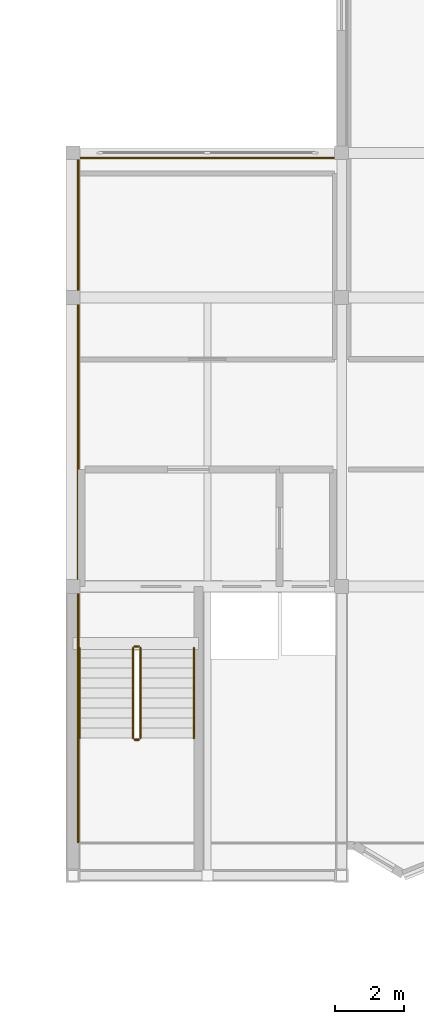
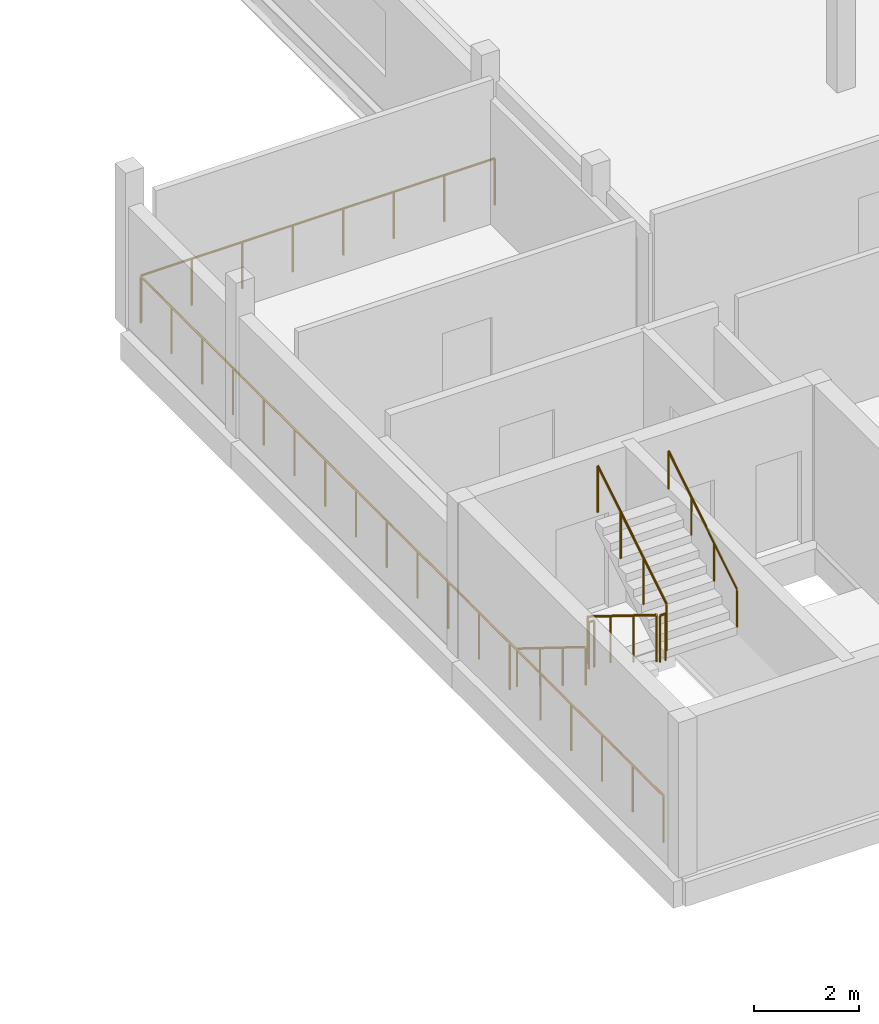
# One storey, part 12 of 15: 8 railings.
"""IFC4 building model written with IfcOpenShell, lengths in metres."""

from ifc_helpers import new_model, si_unit, direction, frame, origin, origin_2d, place, context, subcontext, project, spatial, circle, extrude, material, type_object, element, save


model = new_model("IFC4")

# Units and contexts
model_context = context("Model", 3, precision=1e-05, world=origin(), true_north=direction((0.0, 1.0)))
body_context = subcontext(model_context, "Body", "Model", "MODEL_VIEW")
ifc_project = project(units=[si_unit("LENGTHUNIT", "METRE"), si_unit("AREAUNIT", "SQUARE_METRE"), si_unit("VOLUMEUNIT", "CUBIC_METRE"), si_unit("PLANEANGLEUNIT", "RADIAN"), si_unit("MASSUNIT", "GRAM", prefix="KILO")], contexts=[model_context])

# Site, building, storey
site_placement = place(None, origin())
site = spatial("IfcSite", under=ifc_project, at=site_placement, CompositionType="ELEMENT")
building_placement = place(site_placement, origin())
building = spatial("IfcBuilding", under=site, at=building_placement, Name="Vharandega Faculty of Natural Sciences", CompositionType="ELEMENT")
storey_placement = place(building_placement, frame((0.0, 0.0, 32.39990234375)))
storey = spatial("IfcBuildingStorey", under=building, at=storey_placement, Name="L08", CompositionType="ELEMENT", Elevation=32.39990234375)

# Railings
ifc_material_1 = material(Name="Brushed stainless steel handrail", Category="steel")
railing_type_1 = type_object("IfcRailingType", Name="Stair Tubular Handrail 900", PredefinedType="HANDRAIL", material=ifc_material_1)
railing_1_placement = place(storey_placement, frame((114.989990234375, 70.610107421875, 0.18017578125)))
element("IfcRailing", 1, at=railing_1_placement, inside=storey, type_object=railing_type_1, Name="L08 ST1 stair handrail 1", PredefinedType="HANDRAIL", context=body_context, shape_type="SweptSolid", body=[
    extrude(circle(Radius=0.02392578125, at=origin_2d()), frame((0.0, 0.0, 0.8759765625), z_axis=(0.0, -0.849668407637, 0.527317358963), x_axis=(1.0, 0.0, 0.0)), (0.0, 0.0, 1.0), 3.072021484375),
    extrude(circle(Radius=0.02099609375, at=origin_2d()), origin(), (0.0, 0.0, 1.0), 0.851806640625),
    extrude(circle(Radius=0.02099609375, at=origin_2d()), frame((0.0, -0.8701171875, 0.5400390625)), (0.0, 0.0, 1.0), 0.851806640625),
    extrude(circle(Radius=0.02099609375, at=origin_2d()), frame((0.0, -1.739990234375, 1.079833984375)), (0.0, 0.0, 1.0), 0.851806640625),
    extrude(circle(Radius=0.02099609375, at=origin_2d()), frame((0.0, -2.610107421875, 1.619873046875)), (0.0, 0.0, 1.0), 0.851806640625),
])
railing_2_placement = place(storey_placement, frame((118.31005859375, 68.0, 1.97998046875)))
element("IfcRailing", 2, at=railing_2_placement, inside=storey, type_object=railing_type_1, Name="L08 ST1 stair handrail 2", PredefinedType="HANDRAIL", context=body_context, shape_type="SweptSolid", body=[
    extrude(circle(Radius=0.02392578125, at=origin_2d()), frame((0.0, 0.0, 0.8759765625), z_axis=(0.0, 0.849632798774, 0.527374731332), x_axis=(-1.0, 0.0, 0.0)), (0.0, 0.0, 1.0), 3.072021484375),
    extrude(circle(Radius=0.02099609375, at=origin_2d()), origin(), (0.0, 0.0, 1.0), 0.851806640625),
    extrude(circle(Radius=0.02099609375, at=origin_2d()), frame((0.0, 0.8701171875, 0.5400390625)), (0.0, 0.0, 1.0), 0.851806640625),
    extrude(circle(Radius=0.02099609375, at=origin_2d()), frame((0.0, 1.739990234375, 1.080078125)), (0.0, 0.0, 1.0), 0.851806640625),
    extrude(circle(Radius=0.02099609375, at=origin_2d()), frame((0.0, 2.610107421875, 1.6201171875)), (0.0, 0.0, 1.0), 0.851806640625),
])
ifc_material_2 = material(Name="Painted steel stair guardrail", Category="steel")
railing_type_2 = type_object("IfcRailingType", Name="Stairwell Steel Guardrail 1100", PredefinedType="GUARDRAIL", material=ifc_material_2)
railing_3_placement = place(storey_placement, frame((116.5400390625, 70.610107421875, 0.18017578125)))
element("IfcRailing", 3, at=railing_3_placement, inside=storey, type_object=railing_type_2, Name="L08 ST1 stair guard 1", PredefinedType="GUARDRAIL", context=body_context, shape_type="SweptSolid", body=[
    extrude(circle(Radius=0.02392578125, at=origin_2d()), frame((0.0, 0.0, 1.076171875), z_axis=(0.0, -0.849668407637, 0.527317358963), x_axis=(1.0, 0.0, 0.0)), (0.0, 0.0, 1.0), 3.072021484375),
    extrude(circle(Radius=0.02099609375, at=origin_2d()), origin(), (0.0, 0.0, 1.0), 1.052001953125),
    extrude(circle(Radius=0.02099609375, at=origin_2d()), frame((0.0, -0.8701171875, 0.5400390625)), (0.0, 0.0, 1.0), 1.052001953125),
    extrude(circle(Radius=0.02099609375, at=origin_2d()), frame((0.0, -1.739990234375, 1.079833984375)), (0.0, 0.0, 1.0), 1.052001953125),
    extrude(circle(Radius=0.02099609375, at=origin_2d()), frame((0.0, -2.610107421875, 1.619873046875)), (0.0, 0.0, 1.0), 1.052001953125),
])
railing_4_placement = place(storey_placement, frame((116.590087890625, 67.949951171875, 1.800048828125)))
element("IfcRailing", 4, at=railing_4_placement, inside=storey, type_object=railing_type_2, Name="L08 ST1 stair guard 2", PredefinedType="GUARDRAIL", context=body_context, shape_type="SweptSolid", body=[
    extrude(circle(Radius=0.02392578125, at=origin_2d()), frame((0.0, 0.0, 1.076171875), z_axis=(1.0, 0.0, 0.0), x_axis=(0.0, 1.0, 0.0)), (0.0, 0.0, 1.0), 0.119873046875),
    extrude(circle(Radius=0.02099609375, at=origin_2d()), origin(), (0.0, 0.0, 1.0), 1.052001953125),
    extrude(circle(Radius=0.02099609375, at=origin_2d()), frame((0.119873046875, 0.0, 0.0)), (0.0, 0.0, 1.0), 1.052001953125),
])
railing_5_placement = place(storey_placement, frame((116.760009765625, 68.0, 1.97998046875)))
element("IfcRailing", 5, at=railing_5_placement, inside=storey, type_object=railing_type_2, Name="L08 ST1 stair guard 3", PredefinedType="GUARDRAIL", context=body_context, shape_type="SweptSolid", body=[
    extrude(circle(Radius=0.02392578125, at=origin_2d()), frame((0.0, 0.0, 1.076171875), z_axis=(0.0, 0.849632798774, 0.527374731332), x_axis=(-1.0, 0.0, 0.0)), (0.0, 0.0, 1.0), 3.072021484375),
    extrude(circle(Radius=0.02099609375, at=origin_2d()), origin(), (0.0, 0.0, 1.0), 1.052001953125),
    extrude(circle(Radius=0.02099609375, at=origin_2d()), frame((0.0, 0.8701171875, 0.5400390625)), (0.0, 0.0, 1.0), 1.052001953125),
    extrude(circle(Radius=0.02099609375, at=origin_2d()), frame((0.0, 1.739990234375, 1.080078125)), (0.0, 0.0, 1.0), 1.052001953125),
    extrude(circle(Radius=0.02099609375, at=origin_2d()), frame((0.0, 2.610107421875, 1.6201171875)), (0.0, 0.0, 1.0), 1.052001953125),
])
railing_6_placement = place(storey_placement, frame((116.590087890625, 70.659912109375, 0.0)))
element("IfcRailing", 6, at=railing_6_placement, inside=storey, type_object=railing_type_2, Name="L08 ST1 stair guard 4", PredefinedType="GUARDRAIL", context=body_context, shape_type="SweptSolid", body=[
    extrude(circle(Radius=0.02392578125, at=origin_2d()), frame((0.0, 0.0, 1.076171875), z_axis=(1.0, 0.0, 0.0), x_axis=(0.0, 1.0, 0.0)), (0.0, 0.0, 1.0), 0.119873046875),
    extrude(circle(Radius=0.02099609375, at=origin_2d()), origin(), (0.0, 0.0, 1.0), 1.052001953125),
    extrude(circle(Radius=0.02099609375, at=origin_2d()), frame((0.119873046875, 0.0, 0.0)), (0.0, 0.0, 1.0), 1.052001953125),
])
ifc_material_3 = material(Name="Galvanised painted steel balustrade", Category="steel")
railing_type_3 = type_object("IfcRailingType", Name="Terrace Steel Guardrail 1100", PredefinedType="GUARDRAIL", material=ifc_material_3)
railing_7_placement = place(storey_placement, frame((122.72509765625, 84.85009765625, 0.0)))
element("IfcRailing", 7, at=railing_7_placement, inside=storey, type_object=railing_type_3, Name="Perimeter Sill Guard L08 #5", PredefinedType="GUARDRAIL", context=body_context, shape_type="SweptSolid", body=[
    extrude(circle(Radius=0.02392578125, at=origin_2d()), frame((0.0, 0.0, 1.076171875), z_axis=(-1.0, 0.0, 0.0), x_axis=(0.0, -1.0, 0.0)), (0.0, 0.0, 1.0), 7.75),
    extrude(circle(Radius=0.02099609375, at=origin_2d()), origin(), (0.0, 0.0, 1.0), 1.052001953125),
    extrude(circle(Radius=0.02099609375, at=origin_2d()), frame((-1.107177734375, 0.0, 0.0)), (0.0, 0.0, 1.0), 1.052001953125),
    extrude(circle(Radius=0.02099609375, at=origin_2d()), frame((-2.21435546875, 0.0, 0.0)), (0.0, 0.0, 1.0), 1.052001953125),
    extrude(circle(Radius=0.02099609375, at=origin_2d()), frame((-3.321533203125, 0.0, 0.0)), (0.0, 0.0, 1.0), 1.052001953125),
    extrude(circle(Radius=0.02099609375, at=origin_2d()), frame((-4.428466796875, 0.0, 0.0)), (0.0, 0.0, 1.0), 1.052001953125),
    extrude(circle(Radius=0.02099609375, at=origin_2d()), frame((-5.53564453125, 0.0, 0.0)), (0.0, 0.0, 1.0), 1.052001953125),
    extrude(circle(Radius=0.02099609375, at=origin_2d()), frame((-6.642822265625, 0.0, 0.0)), (0.0, 0.0, 1.0), 1.052001953125),
    extrude(circle(Radius=0.02099609375, at=origin_2d()), frame((-7.75, 0.0, 0.0)), (0.0, 0.0, 1.0), 1.052001953125),
])
railing_8_placement = place(storey_placement, frame((114.949951171875, 84.824951171875, 0.0)))
element("IfcRailing", 8, at=railing_8_placement, inside=storey, type_object=railing_type_3, Name="Perimeter Sill Guard L08 #6", PredefinedType="GUARDRAIL", context=body_context, shape_type="SweptSolid", body=[
    extrude(circle(Radius=0.02392578125, at=origin_2d()), frame((0.0, 0.0, 1.076171875), z_axis=(0.0, -1.0, 0.0), x_axis=(1.0, 0.0, 0.0)), (0.0, 0.0, 1.0), 19.849853515625),
    extrude(circle(Radius=0.02099609375, at=origin_2d()), origin(), (0.0, 0.0, 1.0), 1.052001953125),
    extrude(circle(Radius=0.02099609375, at=origin_2d()), frame((0.0, -1.167724609375, 0.0)), (0.0, 0.0, 1.0), 1.052001953125),
    extrude(circle(Radius=0.02099609375, at=origin_2d()), frame((0.0, -2.335205078125, 0.0)), (0.0, 0.0, 1.0), 1.052001953125),
    extrude(circle(Radius=0.02099609375, at=origin_2d()), frame((0.0, -3.5029296875, 0.0)), (0.0, 0.0, 1.0), 1.052001953125),
    extrude(circle(Radius=0.02099609375, at=origin_2d()), frame((0.0, -4.670654296875, 0.0)), (0.0, 0.0, 1.0), 1.052001953125),
    extrude(circle(Radius=0.02099609375, at=origin_2d()), frame((0.0, -5.838134765625, 0.0)), (0.0, 0.0, 1.0), 1.052001953125),
    extrude(circle(Radius=0.02099609375, at=origin_2d()), frame((0.0, -7.005859375, 0.0)), (0.0, 0.0, 1.0), 1.052001953125),
    extrude(circle(Radius=0.02099609375, at=origin_2d()), frame((0.0, -8.173583984375, 0.0)), (0.0, 0.0, 1.0), 1.052001953125),
    extrude(circle(Radius=0.02099609375, at=origin_2d()), frame((0.0, -9.341064453125, 0.0)), (0.0, 0.0, 1.0), 1.052001953125),
    extrude(circle(Radius=0.02099609375, at=origin_2d()), frame((0.0, -10.5087890625, 0.0)), (0.0, 0.0, 1.0), 1.052001953125),
    extrude(circle(Radius=0.02099609375, at=origin_2d()), frame((0.0, -11.67626953125, 0.0)), (0.0, 0.0, 1.0), 1.052001953125),
    extrude(circle(Radius=0.02099609375, at=origin_2d()), frame((0.0, -12.843994140625, 0.0)), (0.0, 0.0, 1.0), 1.052001953125),
    extrude(circle(Radius=0.02099609375, at=origin_2d()), frame((0.0, -14.01171875, 0.0)), (0.0, 0.0, 1.0), 1.052001953125),
    extrude(circle(Radius=0.02099609375, at=origin_2d()), frame((0.0, -15.17919921875, 0.0)), (0.0, 0.0, 1.0), 1.052001953125),
    extrude(circle(Radius=0.02099609375, at=origin_2d()), frame((0.0, -16.346923828125, 0.0)), (0.0, 0.0, 1.0), 1.052001953125),
    extrude(circle(Radius=0.02099609375, at=origin_2d()), frame((0.0, -17.5146484375, 0.0)), (0.0, 0.0, 1.0), 1.052001953125),
    extrude(circle(Radius=0.02099609375, at=origin_2d()), frame((0.0, -18.68212890625, 0.0)), (0.0, 0.0, 1.0), 1.052001953125),
    extrude(circle(Radius=0.02099609375, at=origin_2d()), frame((0.0, -19.849853515625, 0.0)), (0.0, 0.0, 1.0), 1.052001953125),
])

save(model, "model.ifc")
